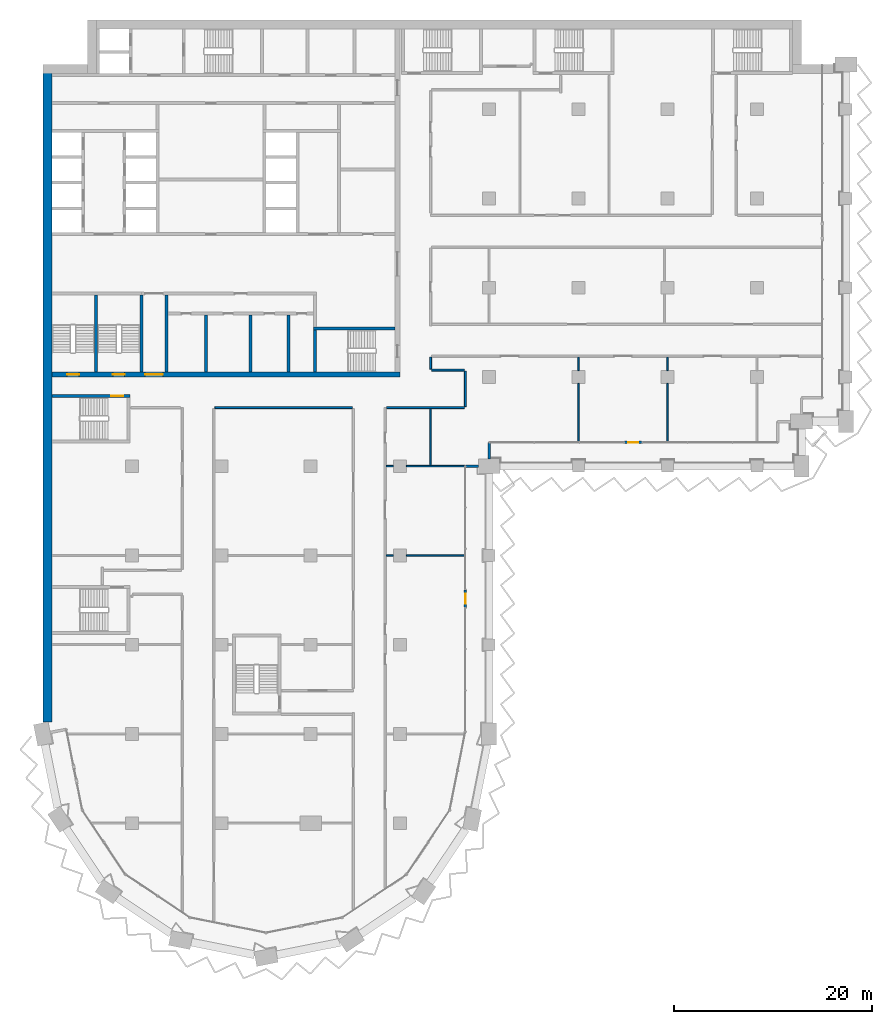
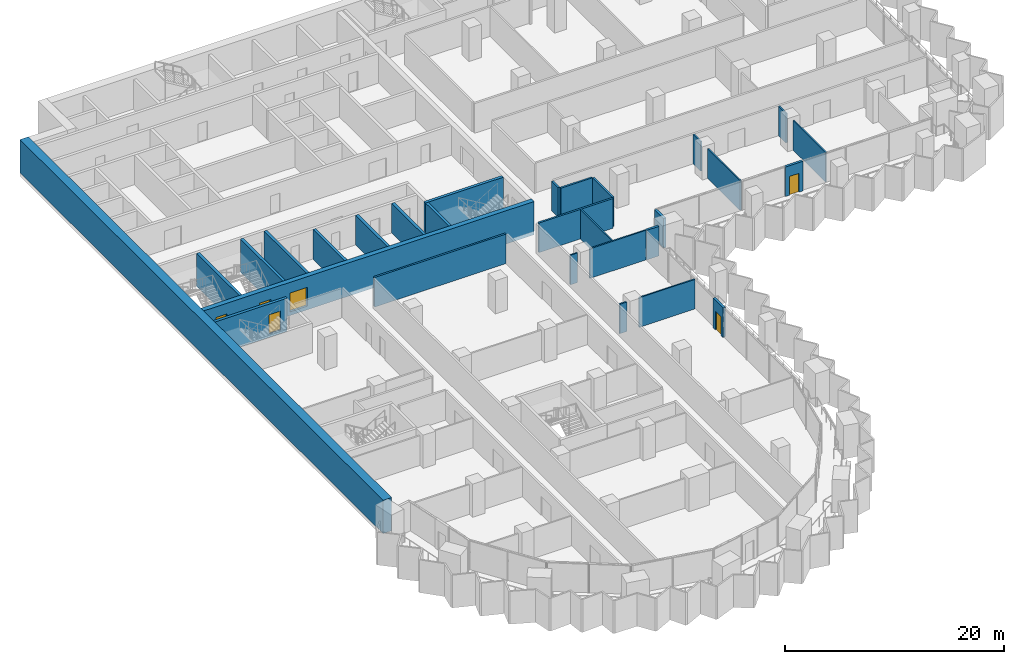
# One storey, part 11 of 23: 29 walls, 6 doors, 6 openings.
"""IFC4 building model written with IfcOpenShell, lengths in metres."""

import ifcopenshell
import ifcopenshell.guid

model = None  # the IFC model being written
_history = None  # IfcOwnerHistory: only IFC2X3 demands one
_inside = {}  # id of a spatial element -> (the spatial element, [elements in it])
_under = {}  # id of a project, library or spatial element -> (it, [spatial elements below it])
_declared = {}  # id of a project -> (the project, [libraries it declares])
_typed = {}  # id of a type object -> (the type object, [elements of that type])
_made_of = {}  # id of a material, layer set ... -> (it, [elements and type objects made of it])


def new_model(schema):
    """Start an empty IFC model of exactly this schema.

    Asked for "IFC4X3", IfcOpenShell would pick the latest addendum, in which some entities
    have other attributes; the version numbers below select the first issue.
    IFC2X3 requires an IfcOwnerHistory on every rooted entity: one is made here for all.
    """
    global model, _history
    if schema == "IFC4X3":
        model = ifcopenshell.file(schema_version=(4, 3, 0, 0))
    else:
        model = ifcopenshell.file(schema=schema)
    _inside.clear()
    _under.clear()
    _declared.clear()
    _typed.clear()
    _made_of.clear()
    _history = None
    if model.schema == "IFC2X3":
        org = make("IfcOrganization", Name="unknown")
        user = make(
            "IfcPersonAndOrganization",
            ThePerson=make("IfcPerson", FamilyName="unknown"),
            TheOrganization=org,
        )
        app = make(
            "IfcApplication",
            ApplicationDeveloper=org,
            Version="unknown",
            ApplicationFullName="unknown",
            ApplicationIdentifier="unknown",
        )
        _history = make(
            "IfcOwnerHistory",
            OwningUser=user,
            OwningApplication=app,
            ChangeAction="ADDED",
            CreationDate=0,
        )
    return model


def make(cls, **values):
    """One entity of the class cls with the attributes given. An attribute that is None is left unset."""
    return model.create_entity(
        cls, **{name: value for name, value in values.items() if value is not None}
    )


def rooted(cls, **values):
    """An entity with a GlobalId (a new one), such as an element, a storey or a relation."""
    return make(cls, GlobalId=ifcopenshell.guid.new(), OwnerHistory=_history, **values)


def si_unit(unit_type, name, prefix=None):
    """IfcSIUnit, for example si_unit("LENGTHUNIT", "METRE", prefix="MILLI")."""
    return make("IfcSIUnit", UnitType=unit_type, Prefix=prefix, Name=name)


def assignment(units):
    """IfcUnitAssignment: the units of a project."""
    return None if units is None else make("IfcUnitAssignment", Units=units)


def point(xyz):
    """IfcCartesianPoint."""
    return None if xyz is None else make("IfcCartesianPoint", Coordinates=xyz)


def direction(xyz):
    """IfcDirection."""
    return None if xyz is None else make("IfcDirection", DirectionRatios=xyz)


def frame(location, z_axis=None, x_axis=None):
    """IfcAxis2Placement3D, a coordinate frame: its origin and axes. An axis left out is left unset."""
    return make(
        "IfcAxis2Placement3D",
        Location=point(location),
        Axis=direction(z_axis),
        RefDirection=direction(x_axis),
    )


def frame_2d(location, x_axis=None):
    """IfcAxis2Placement2D, a coordinate frame in the plane: its origin and x axis."""
    return make(
        "IfcAxis2Placement2D", Location=point(location), RefDirection=direction(x_axis)
    )


def origin():
    """The frame at (0, 0, 0) with its axes left unset."""
    return frame((0.0, 0.0, 0.0))


def place(relative_to, where):
    """IfcLocalPlacement: puts the frame where relative to a parent placement (None: the world)."""
    return make(
        "IfcLocalPlacement", PlacementRelTo=relative_to, RelativePlacement=where
    )


def context(
    kind, dimensions, precision=None, world=None, true_north=None, identifier=None
):
    """IfcGeometricRepresentationContext, for example the 3D "Model" context."""
    return make(
        "IfcGeometricRepresentationContext",
        ContextIdentifier=identifier,
        ContextType=kind,
        CoordinateSpaceDimension=dimensions,
        Precision=precision,
        WorldCoordinateSystem=world,
        TrueNorth=true_north,
    )


def subcontext(parent, identifier, kind, view, scale=None):
    """IfcGeometricRepresentationSubContext, for example "Body" below "Model"."""
    return make(
        "IfcGeometricRepresentationSubContext",
        ContextIdentifier=identifier,
        ContextType=kind,
        ParentContext=parent,
        TargetScale=scale,
        TargetView=view,
    )


def project(units=None, contexts=None):
    """IfcProject with its units and contexts."""
    return rooted(
        "IfcProject",
        Name="project",
        RepresentationContexts=contexts,
        UnitsInContext=assignment(units),
    )


def spatial(cls, under=None, at=None, **own):
    """A site, building, storey or space (cls), placed at a placement, below another one or the project."""
    s = rooted(cls, ObjectPlacement=at, **own)
    if under is not None:
        _under.setdefault(under.id(), (under, []))[1].append(s)
    return s


def profile(cls, at=None, kind="AREA", **sizes):
    """A parametric profile (cls). Its sizes go by their IFC names, for example OverallWidth=200.0."""
    return make(cls, ProfileType=kind, Position=at, **sizes)


def rectangle(**sizes):
    """IfcRectangleProfileDef."""
    return profile("IfcRectangleProfileDef", **sizes)


def extrude(swept, where, along, depth):
    """IfcExtrudedAreaSolid: the profile swept, set in the frame where, extruded along a direction by depth."""
    return make(
        "IfcExtrudedAreaSolid",
        SweptArea=swept,
        Position=where,
        ExtrudedDirection=direction(along),
        Depth=depth,
    )


def shape(context_of_items, identifier, shape_type, items):
    """IfcShapeRepresentation: the items that make up one representation, for example the "Body"."""
    return make(
        "IfcShapeRepresentation",
        ContextOfItems=context_of_items,
        RepresentationIdentifier=identifier,
        RepresentationType=shape_type,
        Items=items,
    )


def material(Name=None, Category=None):
    """IfcMaterial."""
    return make("IfcMaterial", Name=Name, Category=Category)


def layer(
    of_material, thickness, ventilated=None, Name=None, Category=None, Priority=None
):
    """IfcMaterialLayer: one layer of a wall or slab, of a material (None: an air gap)."""
    return make(
        "IfcMaterialLayer",
        Material=of_material,
        LayerThickness=thickness,
        IsVentilated=ventilated,
        Name=Name,
        Category=Category,
        Priority=Priority,
    )


def layer_set(layers, Name=None):
    """IfcMaterialLayerSet."""
    return make("IfcMaterialLayerSet", MaterialLayers=layers, LayerSetName=Name)


def made_of(thing, what):
    """Note that an element or type object is made of a material, layer set ...; save() writes the relation."""
    if what is not None:
        _made_of.setdefault(what.id(), (what, []))[1].append(thing)
    return thing


def type_object(cls, material=None, **own):
    """A type object (cls), such as IfcWallType, which elements share."""
    return made_of(rooted(cls, **own), material)


def element(
    cls,
    number,
    at=None,
    inside=None,
    cuts=None,
    type_object=None,
    material=None,
    context=None,
    identifier="Body",
    shape_type=None,
    held_by="IfcProductDefinitionShape",
    body=None,
    shapes=None,
    **own,
):
    """One element of the class cls, such as IfcWall. Its Tag is "e" and its number.

    at: its placement. inside: the storey or other place that contains it. cuts: it is an
    opening in that element (IfcRelVoidsElement). A single representation is given by context,
    identifier, shape_type and body (its items); several are given by shapes. held_by: the class
    of the entity that holds the representations. save() writes the other relations.
    """
    e = rooted(cls, Tag="e%d" % number, ObjectPlacement=at, **own)
    if body is not None:
        shapes = [shape(context, identifier, shape_type, body)]
    if shapes is not None:
        e.Representation = make(held_by, Representations=shapes)
    if inside is not None:
        _inside.setdefault(inside.id(), (inside, []))[1].append(e)
    if cuts is not None:
        rooted(
            "IfcRelVoidsElement", RelatingBuildingElement=cuts, RelatedOpeningElement=e
        )
    if type_object is not None:
        _typed.setdefault(type_object.id(), (type_object, []))[1].append(e)
    return made_of(e, material)


def fill(opening, filler):
    """IfcRelFillsElement: the door or window that sits in an opening."""
    return rooted(
        "IfcRelFillsElement",
        RelatingOpeningElement=opening,
        RelatedBuildingElement=filler,
    )


def aggregate(whole, parts):
    """IfcRelAggregates: a whole, such as a stair, and the parts it consists of."""
    return rooted("IfcRelAggregates", RelatingObject=whole, RelatedObjects=parts)


def save(model, path):
    """Write the relations noted so far, then the file.

    IfcRelAggregates (storeys below a building ...), IfcRelContainedInSpatialStructure (elements
    in a storey), IfcRelDefinesByType, IfcRelAssociatesMaterial and IfcRelDeclares: one each for
    every whole, place, type object, material and project.
    """
    for whole, parts in _under.values():
        aggregate(whole, parts)
    for where, things in _inside.values():
        rooted(
            "IfcRelContainedInSpatialStructure",
            RelatedElements=things,
            RelatingStructure=where,
        )
    for kind, things in _typed.values():
        rooted("IfcRelDefinesByType", RelatedObjects=things, RelatingType=kind)
    for what, things in _made_of.values():
        rooted("IfcRelAssociatesMaterial", RelatedObjects=things, RelatingMaterial=what)
    for by, libraries in _declared.values():
        rooted("IfcRelDeclares", RelatingContext=by, RelatedDefinitions=libraries)
    model.write(path)


model = new_model("IFC4")

# Units and contexts
model_context = context("Model", 3, precision=1e-05, world=origin(), true_north=direction((0.0, 1.0)))
body_context = subcontext(model_context, "Body", "Model", "MODEL_VIEW")
ifc_project = project(units=[si_unit("LENGTHUNIT", "METRE"), si_unit("AREAUNIT", "SQUARE_METRE"), si_unit("VOLUMEUNIT", "CUBIC_METRE"), si_unit("PLANEANGLEUNIT", "RADIAN"), si_unit("MASSUNIT", "GRAM", prefix="KILO")], contexts=[model_context])

# Site, building, storey
site_placement = place(None, origin())
site = spatial("IfcSite", under=ifc_project, at=site_placement, CompositionType="ELEMENT")
building_placement = place(site_placement, origin())
building = spatial("IfcBuilding", under=site, at=building_placement, Name="Hunhe Ridgeline Campus", CompositionType="ELEMENT")
storey_placement = place(building_placement, frame((0.0, 0.0, 107.0)))
storey = spatial("IfcBuildingStorey", under=building, at=storey_placement, Name="L26", CompositionType="ELEMENT", Elevation=107.0)

# Walls
ifc_material_1 = material(Name="Masonry concrete blockwork", Category="masonry")
ifc_layer_1 = layer(ifc_material_1, 0.300048828125)
ifc_layer_set_1 = layer_set([ifc_layer_1], Name="Core room partition 300 concrete block")
wall_type_1 = type_object("IfcWallType", Name="Core room partition 300 concrete block", PredefinedType="PARTITIONING", material=ifc_layer_set_1)
wall_1_placement = place(storey_placement, frame((12.449951171875, 63.5, 0.0), z_axis=(0.0, 0.0, 1.0), x_axis=(0.0, 1.0, 0.0)))
element("IfcWall", 1, at=wall_1_placement, inside=storey, type_object=wall_type_1, Name="L26 core partition 43", PredefinedType="PARTITIONING", context=body_context, shape_type="SweptSolid", body=[
    extrude(rectangle(XDim=7.75, YDim=0.300048828125, at=frame_2d((3.875, 0.0))), origin(), (0.0, 0.0, 1.0), 3.300048828125),
])
for number, where, z_axis, x_axis, name in (
    (2, (16.449951171875, 63.5, 0.0), (0.0, 0.0, 1.0), (0.0, 1.0, 0.0), "L26 core partition 45"),
    (3, (20.949951171875, 63.5, 0.0), (0.0, 0.0, 1.0), (0.0, 1.0, 0.0), "L26 core partition 47"),
    (4, (24.75, 63.5, 0.0), (0.0, 0.0, 1.0), (0.0, 1.0, 0.0), "L26 core partition 52"),
):
    element("IfcWall", number, at=place(storey_placement, frame(where, z_axis=z_axis, x_axis=x_axis)), inside=storey, type_object=wall_type_1, Name=name, PredefinedType="PARTITIONING", context=body_context, shape_type="SweptSolid", body=[
        extrude(rectangle(XDim=5.75, YDim=0.300048828125, at=frame_2d((2.875, 0.0))), origin(), (0.0, 0.0, 1.0), 3.300048828125),
    ])

# Wall, openings, doors
ifc_material_2 = material(Name="Concrete C80", Category="concrete")
ifc_layer_2 = layer(ifc_material_2, 0.5)
ifc_layer_set_2 = layer_set([ifc_layer_2], Name="Core wall 500 reinforced concrete C80")
wall_type_2 = type_object("IfcWallType", Name="Core wall 500 reinforced concrete C80", PredefinedType="SOLIDWALL", material=ifc_layer_set_2)
wall_2_placement = place(storey_placement, frame((0.89990234375, 63.25, -0.39990234375), z_axis=(0.0, 0.0, 1.0), x_axis=(1.0, 0.0, 0.0)))
wall_2 = element("IfcWall", 5, at=wall_2_placement, inside=storey, type_object=wall_type_2, Name="L26 core wall 7", PredefinedType="SOLIDWALL", context=body_context, shape_type="SweptSolid", body=[
    extrude(rectangle(XDim=35.10009765625, YDim=0.5, at=frame_2d((17.550048828125, 0.0))), origin(), (0.0, 0.0, 1.0), 3.699951171875),
])
opening_1_placement = place(wall_2_placement, frame((9.39990234375, 0.0, 0.39990234375)))
opening_1 = element("IfcOpeningElement", 6, at=opening_1_placement, cuts=wall_2, Name="Opening CD6", PredefinedType="OPENING", context=body_context, shape_type="SweptSolid", body=[
    extrude(rectangle(XDim=1.800048828125, YDim=2.10009765625, at=frame_2d((0.89990234375, 1.050048828125))), frame((0.0, 0.25, 0.0), z_axis=(0.0, -1.0, 0.0), x_axis=(1.0, 0.0, 0.0)), (0.0, 0.0, 1.0), 0.5),
])
opening_2_placement = place(wall_2_placement, frame((1.550048828125, 0.0, 0.39990234375)))
opening_2 = element("IfcOpeningElement", 7, at=opening_2_placement, cuts=wall_2, Name="Opening CD13", PredefinedType="OPENING", context=body_context, shape_type="SweptSolid", body=[
    extrude(rectangle(XDim=1.199951171875, YDim=2.10009765625, at=frame_2d((0.60009765625, 1.050048828125))), frame((0.0, 0.25, 0.0), z_axis=(0.0, -1.0, 0.0), x_axis=(1.0, 0.0, 0.0)), (0.0, 0.0, 1.0), 0.5),
])
opening_3_placement = place(wall_2_placement, frame((6.14990234375, 0.0, 0.39990234375)))
opening_3 = element("IfcOpeningElement", 8, at=opening_3_placement, cuts=wall_2, Name="Opening CD14", PredefinedType="OPENING", context=body_context, shape_type="SweptSolid", body=[
    extrude(rectangle(XDim=1.199951171875, YDim=2.10009765625, at=frame_2d((0.60009765625, 1.050048828125))), frame((0.0, 0.25, 0.0), z_axis=(0.0, -1.0, 0.0), x_axis=(1.0, 0.0, 0.0)), (0.0, 0.0, 1.0), 0.5),
])
ifc_material_3 = material(Name="Anodised aluminium and glass", Category="aluminium")
door_type_1 = type_object("IfcDoorType", Name="Glazed double door 1800x2100", OperationType="DOUBLE_DOOR_SINGLE_SWING", PredefinedType="DOOR", material=ifc_material_3)
door_1_placement = place(opening_1_placement, frame((1.800048828125, 0.0, 0.0), z_axis=(0.0, 0.0, 1.0), x_axis=(-1.0, 0.0, 0.0)))
door_1 = element("IfcDoor", 9, at=door_1_placement, inside=storey, type_object=door_type_1, Name="L26 door VEST-FLOOR", OperationType="DOUBLE_DOOR_SINGLE_SWING", OverallHeight=2.10009765625, OverallWidth=1.800048828125, PredefinedType="DOOR", context=body_context, shape_type="SweptSolid", body=[
    extrude(rectangle(XDim=1.800048828125, YDim=2.10009765625, at=frame_2d((0.89990234375, 1.050048828125))), frame((0.0, 0.02490234375, 0.0), z_axis=(0.0, -1.0, 0.0), x_axis=(1.0, 0.0, 0.0)), (0.0, 0.0, 1.0), 0.050048828125),
])
fill(opening_1, door_1)
ifc_material_4 = material(Name="Hollow metal fire door leaf")
door_type_2 = type_object("IfcDoorType", Name="Stair door 1200x2100 FD60", OperationType="SINGLE_SWING_LEFT", PredefinedType="DOOR", material=ifc_material_4)
door_2_placement = place(opening_2_placement, frame((1.199951171875, 0.0, 0.0), z_axis=(0.0, 0.0, 1.0), x_axis=(-1.0, 0.0, 0.0)))
door_2 = element("IfcDoor", 10, at=door_2_placement, inside=storey, type_object=door_type_2, Name="L26 door S3", OperationType="SINGLE_SWING_RIGHT", OverallHeight=2.10009765625, OverallWidth=1.199951171875, PredefinedType="DOOR", context=body_context, shape_type="SweptSolid", body=[
    extrude(rectangle(XDim=1.199951171875, YDim=2.10009765625, at=frame_2d((0.60009765625, 1.050048828125))), frame((0.0, 0.02490234375, 0.0), z_axis=(0.0, -1.0, 0.0), x_axis=(1.0, 0.0, 0.0)), (0.0, 0.0, 1.0), 0.050048828125),
])
fill(opening_2, door_2)
door_3_placement = place(opening_3_placement, frame((1.199951171875, 0.0, 0.0), z_axis=(0.0, 0.0, 1.0), x_axis=(-1.0, 0.0, 0.0)))
door_3 = element("IfcDoor", 11, at=door_3_placement, inside=storey, type_object=door_type_2, Name="L26 door S4", OperationType="SINGLE_SWING_LEFT", OverallHeight=2.10009765625, OverallWidth=1.199951171875, PredefinedType="DOOR", context=body_context, shape_type="SweptSolid", body=[
    extrude(rectangle(XDim=1.199951171875, YDim=2.10009765625, at=frame_2d((0.60009765625, 1.050048828125))), frame((0.0, 0.02490234375, 0.0), z_axis=(0.0, -1.0, 0.0), x_axis=(1.0, 0.0, 0.0)), (0.0, 0.0, 1.0), 0.050048828125),
])
fill(opening_3, door_3)

# Walls
ifc_material_5 = material(Name="Concrete C30", Category="concrete")
ifc_layer_3 = layer(ifc_material_5, 0.25)
ifc_layer_set_3 = layer_set([ifc_layer_3], Name="Corner return wall 250 Concrete C30")
wall_type_3 = type_object("IfcWallType", Name="Corner return wall 250 Concrete C30", PredefinedType="SOLIDWALL", material=ifc_layer_set_3)
wall_3_placement = place(storey_placement, frame((42.599365234375, 54.000732421875, 0.0), z_axis=(0.0, 0.0, 1.0), x_axis=(0.99999998238, 0.000187722918, 0.0)))
element("IfcWall", 12, at=wall_3_placement, inside=storey, type_object=wall_type_3, Name="Corner return wall 2", PredefinedType="SOLIDWALL", context=body_context, shape_type="SweptSolid", body=[
    extrude(rectangle(XDim=1.300537109375, YDim=0.25, at=frame_2d((0.650390625, 0.0))), origin(), (0.0, 0.0, 1.0), 3.300048828125),
])
wall_4_placement = place(storey_placement, frame((44.999267578125, 54.75, 0.0), z_axis=(0.0, 0.0, 1.0), x_axis=(0.000443655679, 0.999999901585, 0.0)))
element("IfcWall", 13, at=wall_4_placement, inside=storey, type_object=wall_type_3, Name="Corner return wall 3", PredefinedType="SOLIDWALL", context=body_context, shape_type="SweptSolid", body=[
    extrude(rectangle(XDim=1.65087890625, YDim=0.25, at=frame_2d((0.825439453125, 0.0))), origin(), (0.0, 0.0, 1.0), 3.300048828125),
])
ifc_material_6 = material(Name="Gypsum board partition")
ifc_layer_4 = layer(ifc_material_6, 0.199951171875)
ifc_layer_set_4 = layer_set([ifc_layer_4], Name="Corridor partition 200 gypsum board on steel studs")
wall_type_4 = type_object("IfcWallType", Name="Corridor partition 200 gypsum board on steel studs", PredefinedType="PARTITIONING", material=ifc_layer_set_4)
wall_5_placement = place(storey_placement, frame((31.199951171875, 59.89990234375, 0.0), z_axis=(0.0, 0.0, 1.0), x_axis=(-1.0, 0.0, 0.0)))
element("IfcWall", 14, at=wall_5_placement, inside=storey, type_object=wall_type_4, Name="F-L26-wall-029", PredefinedType="PARTITIONING", context=body_context, shape_type="SweptSolid", body=[
    extrude(rectangle(XDim=13.849853515625, YDim=0.199951171875, at=frame_2d((6.9248046875, 0.0))), origin(), (0.0, 0.0, 1.0), 3.300048828125),
])
wall_6_placement = place(storey_placement, frame((42.5, 59.89990234375, 0.0), z_axis=(0.0, 0.0, 1.0), x_axis=(-1.0, 0.0, 0.0)))
element("IfcWall", 15, at=wall_6_placement, inside=storey, type_object=wall_type_4, Name="F-L26-wall-030", PredefinedType="PARTITIONING", context=body_context, shape_type="SweptSolid", body=[
    extrude(rectangle(XDim=7.828369140625, YDim=0.199951171875, at=frame_2d((3.9140625, 0.0))), origin(), (0.0, 0.0, 1.0), 3.300048828125),
])
wall_7_placement = place(storey_placement, frame((39.199951171875, 63.699951171875, 0.0), z_axis=(0.0, 0.0, 1.0), x_axis=(1.0, 0.0, 0.0)))
element("IfcWall", 16, at=wall_7_placement, inside=storey, type_object=wall_type_4, Name="F-L26-wall-031", PredefinedType="PARTITIONING", context=body_context, shape_type="SweptSolid", body=[
    extrude(rectangle(XDim=3.300048828125, YDim=0.199951171875, at=frame_2d((1.64990234375, 0.0))), origin(), (0.0, 0.0, 1.0), 3.300048828125),
])
wall_8_placement = place(storey_placement, frame((39.10009765625, 65.0, 0.0), z_axis=(0.0, 0.0, 1.0), x_axis=(0.0, -1.0, 0.0)))
element("IfcWall", 17, at=wall_8_placement, inside=storey, type_object=wall_type_4, Name="F-L26-wall-048", PredefinedType="PARTITIONING", context=body_context, shape_type="SweptSolid", body=[
    extrude(rectangle(XDim=1.199951171875, YDim=0.199951171875, at=frame_2d((0.60009765625, 0.0))), origin(), (0.0, 0.0, 1.0), 3.300048828125),
])
wall_9_placement = place(storey_placement, frame((42.60009765625, 63.60009765625, 0.0), z_axis=(0.0, 0.0, 1.0), x_axis=(0.0, -1.0, 0.0)))
element("IfcWall", 18, at=wall_9_placement, inside=storey, type_object=wall_type_4, Name="F-L26-wall-051", PredefinedType="PARTITIONING", context=body_context, shape_type="SweptSolid", body=[
    extrude(rectangle(XDim=3.60009765625, YDim=0.199951171875, at=frame_2d((1.800048828125, 0.0))), origin(), (0.0, 0.0, 1.0), 3.300048828125),
])

# Wall, opening, door
ifc_layer_5 = layer(ifc_material_5, 0.25)
ifc_layer_set_5 = layer_set([ifc_layer_5], Name="Loggia door pier wall 250 Concrete C30")
wall_type_5 = type_object("IfcWallType", Name="Loggia door pier wall 250 Concrete C30", PredefinedType="SOLIDWALL", material=ifc_layer_set_5)
wall_10_placement = place(storey_placement, frame((42.59912109375, 39.718505859375, 0.0), z_axis=(0.0, 0.0, 1.0), x_axis=(0.0, 1.0, 0.0)))
wall_10 = element("IfcWall", 19, at=wall_10_placement, inside=storey, type_object=wall_type_5, Name="Loggia door pier 3", PredefinedType="SOLIDWALL", context=body_context, shape_type="SweptSolid", body=[
    extrude(rectangle(XDim=1.800048828125, YDim=0.25, at=frame_2d((0.89990234375, 0.0))), origin(), (0.0, 0.0, 1.0), 3.300048828125),
])
opening_4_placement = place(wall_10_placement, frame((0.39990234375, 0.0, 0.0)))
opening_4 = element("IfcOpeningElement", 20, at=opening_4_placement, cuts=wall_10, Name="Opening BD205", PredefinedType="OPENING", context=body_context, shape_type="SweptSolid", body=[
    extrude(rectangle(XDim=1.0, YDim=2.10009765625, at=frame_2d((0.5, 1.050048828125))), frame((0.0, 0.125, 0.0), z_axis=(0.0, -1.0, 0.0), x_axis=(1.0, 0.0, 0.0)), (0.0, 0.0, 1.0), 0.25),
])
ifc_material_7 = material(Name="Aluminium 6063", Category="aluminium")
door_type_3 = type_object("IfcDoorType", Name="Loggia glazed door 1000x2100", OperationType="NOTDEFINED", PredefinedType="DOOR", material=ifc_material_7)
door_4_placement = place(opening_4_placement, frame((1.0, 0.0, 0.0), z_axis=(0.0, 0.0, 1.0), x_axis=(-1.0, 0.0, 0.0)))
door_4 = element("IfcDoor", 21, at=door_4_placement, inside=storey, type_object=door_type_3, Name="Loggia door BD205", OperationType="SINGLE_SWING_RIGHT", OverallHeight=2.10009765625, OverallWidth=1.0, PredefinedType="DOOR", context=body_context, shape_type="SweptSolid", body=[
    extrude(rectangle(XDim=1.0, YDim=2.10009765625, at=frame_2d((0.5, 1.050048828125))), frame((0.0, 0.02490234375, 0.0), z_axis=(0.0, -1.0, 0.0), x_axis=(1.0, 0.0, 0.0)), (0.0, 0.0, 1.0), 0.050048828125),
])
fill(opening_4, door_4)

wall_11_placement = place(storey_placement, frame((58.6494140625, 56.40087890625, 0.0), z_axis=(0.0, 0.0, 1.0), x_axis=(1.0, 0.0, 0.0)))
wall_11 = element("IfcWall", 22, at=wall_11_placement, inside=storey, type_object=wall_type_5, Name="Loggia door pier 4", PredefinedType="SOLIDWALL", context=body_context, shape_type="SweptSolid", body=[
    extrude(rectangle(XDim=1.800048828125, YDim=0.25, at=frame_2d((0.89990234375, 0.0))), origin(), (0.0, 0.0, 1.0), 3.300048828125),
])
opening_5_placement = place(wall_11_placement, frame((0.39990234375, 0.0, 0.0)))
opening_5 = element("IfcOpeningElement", 23, at=opening_5_placement, cuts=wall_11, Name="Opening BD206", PredefinedType="OPENING", context=body_context, shape_type="SweptSolid", body=[
    extrude(rectangle(XDim=1.0, YDim=2.10009765625, at=frame_2d((0.5, 1.050048828125))), frame((0.0, 0.125, 0.0), z_axis=(0.0, -1.0, 0.0), x_axis=(1.0, 0.0, 0.0)), (0.0, 0.0, 1.0), 0.25),
])
door_5_placement = place(opening_5_placement, frame((1.0, 0.0, 0.0), z_axis=(0.0, 0.0, 1.0), x_axis=(-1.0, 0.0, 0.0)))
door_5 = element("IfcDoor", 24, at=door_5_placement, inside=storey, type_object=door_type_3, Name="Loggia door BD206", OperationType="SINGLE_SWING_LEFT", OverallHeight=2.10009765625, OverallWidth=1.0, PredefinedType="DOOR", context=body_context, shape_type="SweptSolid", body=[
    extrude(rectangle(XDim=1.0, YDim=2.10009765625, at=frame_2d((0.5, 1.050048828125))), frame((0.0, 0.02490234375, 0.0), z_axis=(0.0, -1.0, 0.0), x_axis=(1.0, 0.0, 0.0)), (0.0, 0.0, 1.0), 0.050048828125),
])
fill(opening_5, door_5)

# Walls
ifc_layer_6 = layer(ifc_material_6, 0.14990234375)
ifc_layer_set_6 = layer_set([ifc_layer_6], Name="Room partition 150 gypsum board on steel studs")
wall_type_6 = type_object("IfcWallType", Name="Room partition 150 gypsum board on steel studs", PredefinedType="PARTITIONING", material=ifc_layer_set_6)
wall_12_placement = place(storey_placement, frame((34.60009765625, 45.0, 0.0), z_axis=(0.0, 0.0, 1.0), x_axis=(1.0, 0.0, 0.0)))
element("IfcWall", 25, at=wall_12_placement, inside=storey, type_object=wall_type_6, Name="F-L26-wall-024", PredefinedType="PARTITIONING", context=body_context, shape_type="SweptSolid", body=[
    extrude(rectangle(XDim=0.75, YDim=0.14990234375, at=frame_2d((0.375, 0.0))), origin(), (0.0, 0.0, 1.0), 3.300048828125),
])
wall_13_placement = place(storey_placement, frame((36.64990234375, 45.0, 0.0), z_axis=(0.0, 0.0, 1.0), x_axis=(1.0, 0.0, 0.0)))
element("IfcWall", 26, at=wall_13_placement, inside=storey, type_object=wall_type_6, Name="F-L26-wall-025", PredefinedType="PARTITIONING", context=body_context, shape_type="SweptSolid", body=[
    extrude(rectangle(XDim=5.895263671875, YDim=0.14990234375, at=frame_2d((2.94775390625, 0.0))), origin(), (0.0, 0.0, 1.0), 3.300048828125),
])
wall_14_placement = place(storey_placement, frame((34.60009765625, 54.0, 0.0), z_axis=(0.0, 0.0, 1.0), x_axis=(1.0, 0.0, 0.0)))
element("IfcWall", 27, at=wall_14_placement, inside=storey, type_object=wall_type_6, Name="F-L26-wall-026", PredefinedType="PARTITIONING", context=body_context, shape_type="SweptSolid", body=[
    extrude(rectangle(XDim=0.75, YDim=0.14990234375, at=frame_2d((0.375, 0.0))), origin(), (0.0, 0.0, 1.0), 3.300048828125),
])
wall_15_placement = place(storey_placement, frame((36.64990234375, 54.0, 0.0), z_axis=(0.0, 0.0, 1.0), x_axis=(1.0, 0.0, 0.0)))
element("IfcWall", 28, at=wall_15_placement, inside=storey, type_object=wall_type_6, Name="F-L26-wall-027", PredefinedType="PARTITIONING", context=body_context, shape_type="SweptSolid", body=[
    extrude(rectangle(XDim=5.8955078125, YDim=0.14990234375, at=frame_2d((2.94775390625, 0.0))), origin(), (0.0, 0.0, 1.0), 3.300048828125),
])
wall_16_placement = place(storey_placement, frame((39.10009765625, 59.800048828125, 0.0), z_axis=(0.0, 0.0, 1.0), x_axis=(0.0, -1.0, 0.0)))
element("IfcWall", 29, at=wall_16_placement, inside=storey, type_object=wall_type_6, Name="F-L26-wall-047", PredefinedType="PARTITIONING", context=body_context, shape_type="SweptSolid", body=[
    extrude(rectangle(XDim=5.72509765625, YDim=0.14990234375, at=frame_2d((2.862548828125, 0.0))), origin(), (0.0, 0.0, 1.0), 3.300048828125),
])
wall_17_placement = place(storey_placement, frame((54.0, 62.35009765625, 0.0), z_axis=(0.0, 0.0, 1.0), x_axis=(0.0, -1.0, 0.0)))
element("IfcWall", 30, at=wall_17_placement, inside=storey, type_object=wall_type_6, Name="F-L26-wall-057", PredefinedType="PARTITIONING", context=body_context, shape_type="SweptSolid", body=[
    extrude(rectangle(XDim=5.89501953125, YDim=0.14990234375, at=frame_2d((2.947509765625, 0.0))), origin(), (0.0, 0.0, 1.0), 3.300048828125),
])
wall_18_placement = place(storey_placement, frame((54.0, 65.0, 0.0), z_axis=(0.0, 0.0, 1.0), x_axis=(0.0, -1.0, 0.0)))
element("IfcWall", 31, at=wall_18_placement, inside=storey, type_object=wall_type_6, Name="F-L26-wall-058", PredefinedType="PARTITIONING", context=body_context, shape_type="SweptSolid", body=[
    extrude(rectangle(XDim=1.35009765625, YDim=0.14990234375, at=frame_2d((0.675048828125, 0.0))), origin(), (0.0, 0.0, 1.0), 3.300048828125),
])
wall_19_placement = place(storey_placement, frame((63.0, 62.35009765625, 0.0), z_axis=(0.0, 0.0, 1.0), x_axis=(0.0, -1.0, 0.0)))
element("IfcWall", 32, at=wall_19_placement, inside=storey, type_object=wall_type_6, Name="F-L26-wall-062", PredefinedType="PARTITIONING", context=body_context, shape_type="SweptSolid", body=[
    extrude(rectangle(XDim=5.89501953125, YDim=0.14990234375, at=frame_2d((2.947509765625, 0.0))), origin(), (0.0, 0.0, 1.0), 3.300048828125),
])
wall_20_placement = place(storey_placement, frame((63.0, 65.0, 0.0), z_axis=(0.0, 0.0, 1.0), x_axis=(0.0, -1.0, 0.0)))
element("IfcWall", 33, at=wall_20_placement, inside=storey, type_object=wall_type_6, Name="F-L26-wall-063", PredefinedType="PARTITIONING", context=body_context, shape_type="SweptSolid", body=[
    extrude(rectangle(XDim=1.35009765625, YDim=0.14990234375, at=frame_2d((0.675048828125, 0.0))), origin(), (0.0, 0.0, 1.0), 3.300048828125),
])
ifc_material_8 = material(Name="Concrete C70", Category="concrete")
ifc_layer_7 = layer(ifc_material_8, 0.89990234375)
ifc_layer_set_7 = layer_set([ifc_layer_7], Name="Spine wall 900 Concrete C70")
wall_type_7 = type_object("IfcWallType", Name="Spine wall 900 Concrete C70", PredefinedType="SHEAR", material=ifc_layer_set_7)
wall_21_placement = place(storey_placement, frame((0.449951171875, 94.5, 0.0), z_axis=(0.0, 0.0, 1.0), x_axis=(0.0, -1.0, 0.0)))
element("IfcWall", 34, at=wall_21_placement, inside=storey, type_object=wall_type_7, Name="Spine wall SW2-1 L26", PredefinedType="SHEAR", context=body_context, shape_type="SweptSolid", body=[
    extrude(rectangle(XDim=66.288818359375, YDim=0.89990234375, at=frame_2d((33.14453125, 0.0))), origin(), (0.0, 0.0, 1.0), 3.699951171875),
])

# Wall, opening, door
ifc_layer_8 = layer(ifc_material_2, 0.300048828125)
ifc_layer_set_8 = layer_set([ifc_layer_8], Name="Stair wall 300 reinforced concrete C80")
wall_type_8 = type_object("IfcWallType", Name="Stair wall 300 reinforced concrete C80", PredefinedType="SOLIDWALL", material=ifc_layer_set_8)
wall_22_placement = place(storey_placement, frame((0.89990234375, 61.10009765625, -0.39990234375), z_axis=(0.0, 0.0, 1.0), x_axis=(1.0, 0.0, 0.0)))
wall_22 = element("IfcWall", 35, at=wall_22_placement, inside=storey, type_object=wall_type_8, Name="L26 core wall 6", PredefinedType="SOLIDWALL", context=body_context, shape_type="SweptSolid", body=[
    extrude(rectangle(XDim=7.900146484375, YDim=0.300048828125, at=frame_2d((3.9501953125, 0.0))), origin(), (0.0, 0.0, 1.0), 3.699951171875),
])
opening_6_placement = place(wall_22_placement, frame((6.0, 0.0, 0.39990234375)))
opening_6 = element("IfcOpeningElement", 36, at=opening_6_placement, cuts=wall_22, Name="Opening CD22", PredefinedType="OPENING", context=body_context, shape_type="SweptSolid", body=[
    extrude(rectangle(XDim=1.199951171875, YDim=2.10009765625, at=frame_2d((0.60009765625, 1.050048828125))), frame((0.0, 0.14990234375, 0.0), z_axis=(0.0, -1.0, 0.0), x_axis=(1.0, 0.0, 0.0)), (0.0, 0.0, 1.0), 0.300048828125),
])
door_6_placement = place(opening_6_placement, origin())
door_6 = element("IfcDoor", 37, at=door_6_placement, inside=storey, type_object=door_type_2, Name="L26 door W2", OperationType="SINGLE_SWING_LEFT", OverallHeight=2.10009765625, OverallWidth=1.199951171875, PredefinedType="DOOR", context=body_context, shape_type="SweptSolid", body=[
    extrude(rectangle(XDim=1.199951171875, YDim=2.10009765625, at=frame_2d((0.60009765625, 1.050048828125))), frame((0.0, 0.02490234375, 0.0), z_axis=(0.0, -1.0, 0.0), x_axis=(1.0, 0.0, 0.0)), (0.0, 0.0, 1.0), 0.050048828125),
])
fill(opening_6, door_6)

# Walls
wall_23_placement = place(storey_placement, frame((27.300048828125, 67.89990234375, -0.39990234375), z_axis=(0.0, 0.0, 1.0), x_axis=(1.0, 0.0, 0.0)))
element("IfcWall", 38, at=wall_23_placement, inside=storey, type_object=wall_type_8, Name="L26 core wall 8", PredefinedType="SOLIDWALL", context=body_context, shape_type="SweptSolid", body=[
    extrude(rectangle(XDim=8.199951171875, YDim=0.300048828125, at=frame_2d((4.10009765625, 0.0))), origin(), (0.0, 0.0, 1.0), 3.699951171875),
])
for number, where, z_axis, x_axis, name in (
    (39, (5.35009765625, 63.5, -0.39990234375), (0.0, 0.0, 1.0), (0.0, 1.0, 0.0), "L26 core wall 34"),
    (40, (9.949951171875, 63.5, -0.39990234375), (0.0, 0.0, 1.0), (0.0, 1.0, 0.0), "L26 core wall 40"),
):
    element("IfcWall", number, at=place(storey_placement, frame(where, z_axis=z_axis, x_axis=x_axis)), inside=storey, type_object=wall_type_8, Name=name, PredefinedType="SOLIDWALL", context=body_context, shape_type="SweptSolid", body=[
        extrude(rectangle(XDim=7.75, YDim=0.300048828125, at=frame_2d((3.875, 0.0))), origin(), (0.0, 0.0, 1.0), 3.699951171875),
    ])
wall_24_placement = place(storey_placement, frame((27.449951171875, 63.5, -0.39990234375), z_axis=(0.0, 0.0, 1.0), x_axis=(0.0, 1.0, 0.0)))
element("IfcWall", 41, at=wall_24_placement, inside=storey, type_object=wall_type_8, Name="L26 core wall 55", PredefinedType="SOLIDWALL", context=body_context, shape_type="SweptSolid", body=[
    extrude(rectangle(XDim=4.25, YDim=0.300048828125, at=frame_2d((2.125, 0.0))), origin(), (0.0, 0.0, 1.0), 3.699951171875),
])

save(model, "model.ifc")
